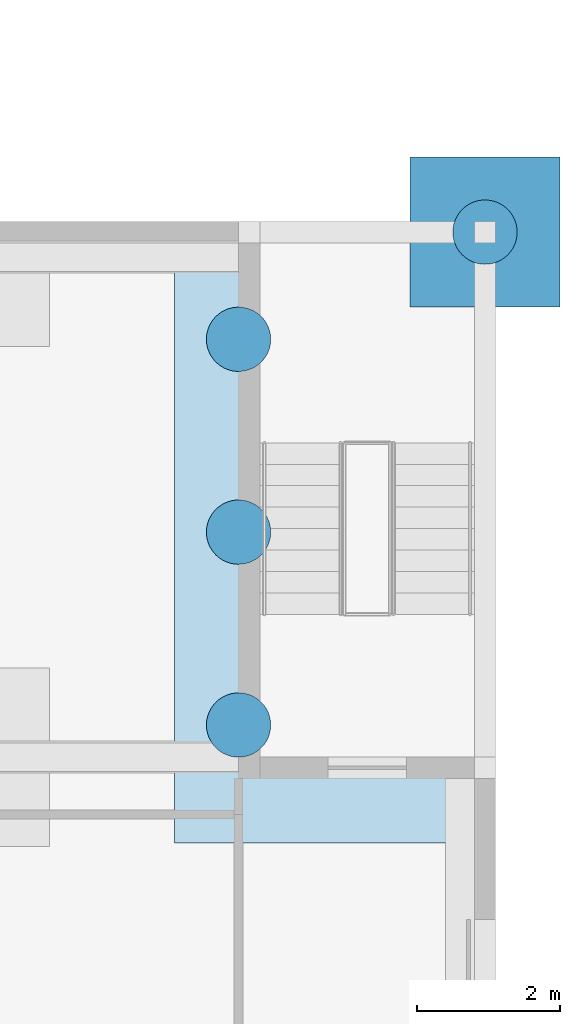
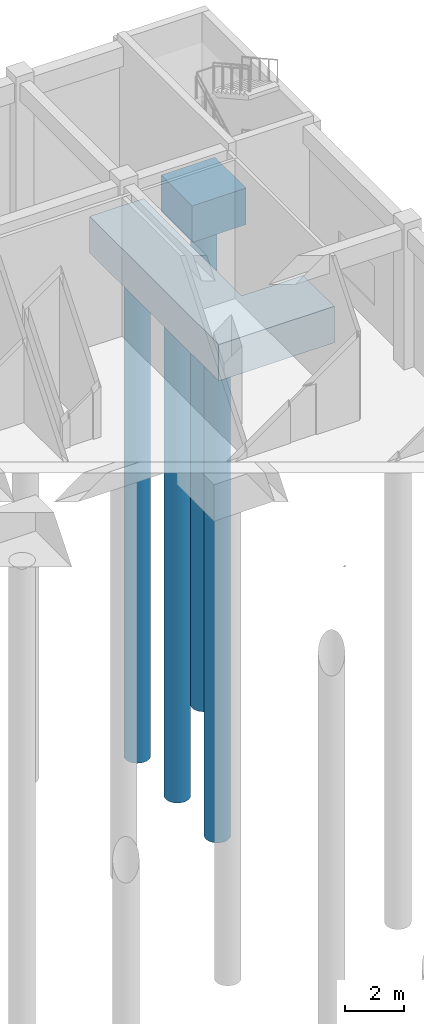
# One storey, part 4 of 51: 4 piles, 2 footings.
"""IFC4 building model written with IfcOpenShell, lengths in metres."""

from ifc_helpers import new_model, si_unit, direction, frame, origin, origin_2d, place, context, subcontext, project, spatial, polyline, circle, outline, extrude, material, layer, layer_set, material_profile, profile_set, type_object, element, save


model = new_model("IFC4")

# Units and contexts
model_context = context("Model", 3, precision=1e-05, world=origin(), true_north=direction((0.0, 1.0)))
body_context = subcontext(model_context, "Body", "Model", "MODEL_VIEW")
ifc_project = project(units=[si_unit("LENGTHUNIT", "METRE"), si_unit("AREAUNIT", "SQUARE_METRE"), si_unit("VOLUMEUNIT", "CUBIC_METRE"), si_unit("PLANEANGLEUNIT", "RADIAN"), si_unit("MASSUNIT", "GRAM", prefix="KILO")], contexts=[model_context])

# Site, building, storey
site_placement = place(None, origin())
site = spatial("IfcSite", under=ifc_project, at=site_placement, CompositionType="ELEMENT")
building_placement = place(site_placement, origin())
building = spatial("IfcBuilding", under=site, at=building_placement, Name="Elmora Arch Market Hall", CompositionType="ELEMENT")
storey_placement = place(building_placement, origin())
storey = spatial("IfcBuildingStorey", under=building, at=storey_placement, Name="L00", CompositionType="ELEMENT", Elevation=0.0)

# Piles
ifc_material_1 = material(Name="Concrete C40/50", Category="concrete")
ifc_material_profile = material_profile(ifc_material_1, circle(Radius=0.449951171875, at=origin_2d()), Name="Bored pile D900")
ifc_profile_set = profile_set([ifc_material_profile], Name="Concrete C40/50")
pile_type = type_object("IfcPileType", Name="Bored pile D900", PredefinedType="BORED", material=ifc_profile_set)
for number, where, z_axis, x_axis, name in (
    (1, (130.39990234375, 158.949951171875, -2.89990234375), (0.0, 0.0, -1.0), (1.0, 0.0, 0.0), "Bored pile S034.01"),
    (2, (130.39990234375, 161.64990234375, -2.89990234375), (0.0, 0.0, -1.0), (1.0, 0.0, 0.0), "Bored pile S034.02"),
    (3, (130.39990234375, 164.35009765625, -2.89990234375), (0.0, 0.0, -1.0), (1.0, 0.0, 0.0), "Bored pile S034.03"),
    (4, (133.85009765625, 165.85009765625, -2.89990234375), (0.0, 0.0, -1.0), (1.0, 0.0, 0.0), "Bored pile S041.01"),
):
    element("IfcPile", number, at=place(storey_placement, frame(where, z_axis=z_axis, x_axis=x_axis)), inside=storey, type_object=pile_type, Name=name, PredefinedType="BORED", context=body_context, shape_type="SweptSolid", body=[
        extrude(circle(Radius=0.449951171875, at=origin_2d()), origin(), (0.0, 0.0, 1.0), 20.0),
    ])

# Footings
ifc_material_2 = material(Name="Concrete C40/50", Category="concrete")
ifc_layer_1 = layer(ifc_material_2, 1.5)
ifc_layer_set_1 = layer_set([ifc_layer_1], Name="Concrete C40/50")
footing_type_1 = type_object("IfcFootingType", Name="Pile cap 1500, 3 to 4 piles", PredefinedType="PILE_CAP", material=ifc_layer_set_1)
footing_1_placement = place(storey_placement, frame((0.0, 0.0, -2.89990234375)))
element("IfcFooting", 5, at=footing_1_placement, inside=storey, type_object=footing_type_1, Name="Pile cap S034", PredefinedType="PILE_CAP", context=body_context, shape_type="SweptSolid", body=[
    extrude(outline(polyline([(131.60009765625, 157.300048828125), (129.800048828125, 157.300048828125), (129.5, 157.300048828125), (129.5, 164.800048828125), (129.5, 166.0), (131.60009765625, 166.0), (131.60009765625, 164.800048828125), (131.60009765625, 159.39990234375), (132.800048828125, 159.39990234375), (134.0, 159.39990234375), (134.0, 157.300048828125), (132.800048828125, 157.300048828125), (131.60009765625, 157.300048828125)])), origin(), (0.0, 0.0, 1.0), 1.5),
])
ifc_material_3 = material(Name="Concrete C40/50", Category="concrete")
ifc_layer_2 = layer(ifc_material_3, 1.5)
ifc_layer_set_2 = layer_set([ifc_layer_2], Name="Concrete C40/50")
footing_type_2 = type_object("IfcFootingType", Name="Pile cap 1500, up to 2 piles", PredefinedType="PILE_CAP", material=ifc_layer_set_2)
footing_2_placement = place(storey_placement, frame((0.0, 0.0, -2.89990234375)))
element("IfcFooting", 6, at=footing_2_placement, inside=storey, type_object=footing_type_2, Name="Pile cap S041", PredefinedType="PILE_CAP", context=body_context, shape_type="SweptSolid", body=[
    extrude(outline(polyline([(134.89990234375, 164.800048828125), (132.800048828125, 164.800048828125), (132.800048828125, 166.89990234375), (134.89990234375, 166.89990234375), (134.89990234375, 164.800048828125)])), origin(), (0.0, 0.0, 1.0), 1.5),
])

save(model, "model.ifc")
